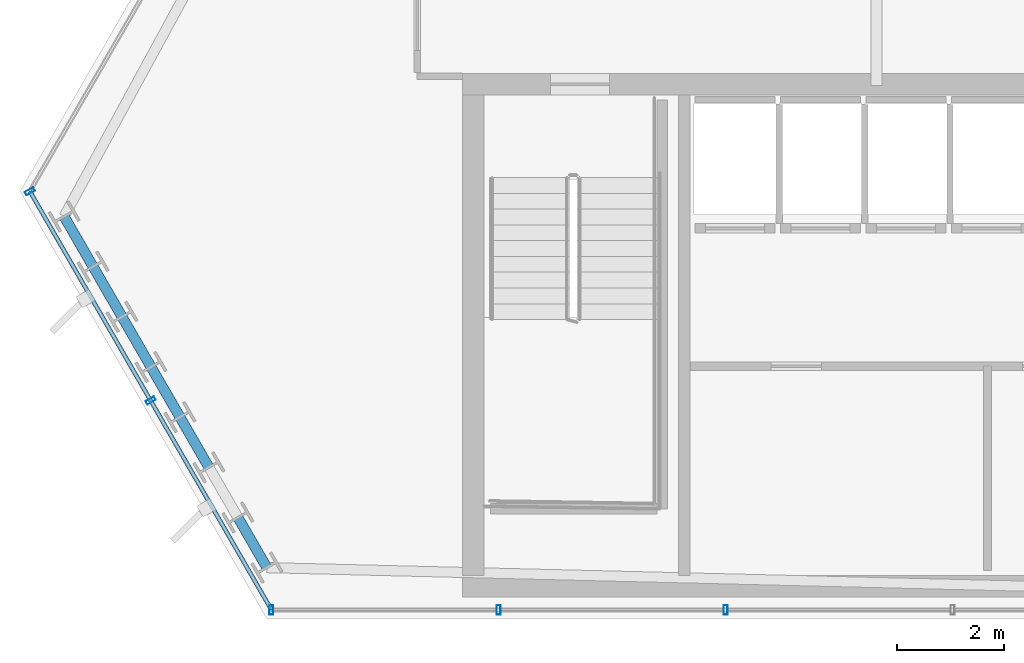
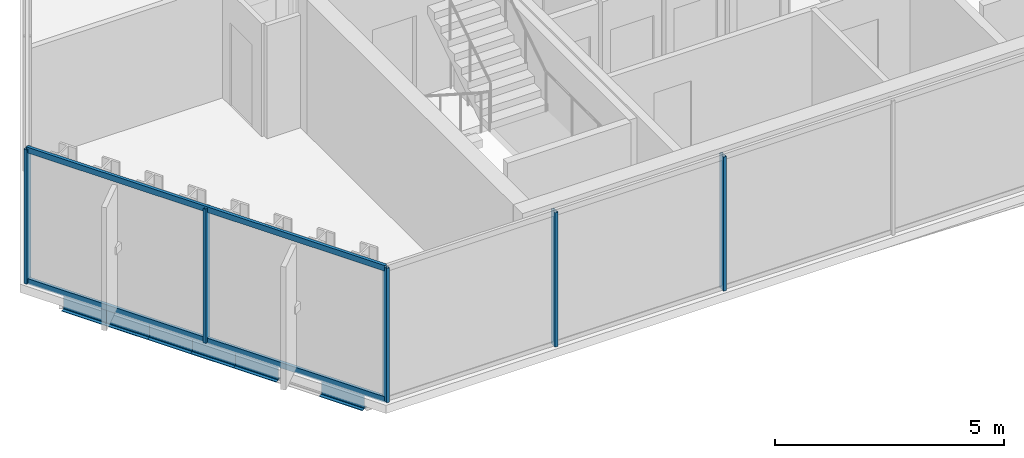
# One storey, part 2 of 34: 7 members, 6 beams, 2 elements without a shape of their own.
"""IFC4 building model written with IfcOpenShell, lengths in metres."""

from ifc_helpers import new_model, si_unit, direction, frame, origin, origin_2d, place, context, subcontext, project, spatial, hollow_rectangle, i_section, extrude, material, layer, layer_set, material_profile, profile_set, type_object, element, aggregate, save


model = new_model("IFC4")

# Units and contexts
model_context = context("Model", 3, precision=1e-05, world=origin(), true_north=direction((0.0, 1.0)))
body_context = subcontext(model_context, "Body", "Model", "MODEL_VIEW")
ifc_project = project(units=[si_unit("LENGTHUNIT", "METRE"), si_unit("AREAUNIT", "SQUARE_METRE"), si_unit("VOLUMEUNIT", "CUBIC_METRE"), si_unit("PLANEANGLEUNIT", "RADIAN"), si_unit("MASSUNIT", "GRAM", prefix="KILO")], contexts=[model_context])

# Site, building, storey
site_placement = place(None, origin())
site = spatial("IfcSite", under=ifc_project, at=site_placement, CompositionType="ELEMENT")
building_placement = place(site_placement, origin())
building = spatial("IfcBuilding", under=site, at=building_placement, Name="Ndaravel Arena Tower", CompositionType="ELEMENT")
storey_placement = place(building_placement, frame((0.0, 0.0, 195.39990234375)))
storey = spatial("IfcBuildingStorey", under=building, at=storey_placement, Name="L47", CompositionType="ELEMENT", Elevation=195.39990234375)

# Beams
ifc_material_1 = material(Name="Steel S355", Category="steel")
ifc_material_profile_1 = material_profile(ifc_material_1, i_section(OverallWidth=0.18994140625, OverallDepth=0.449951171875, WebThickness=0.009521484375, FlangeThickness=0.0146484375, FilletRadius=0.02099609375, at=origin_2d()), Name="IPE 450")
ifc_profile_set_1 = profile_set([ifc_material_profile_1], Name="Steel S355")
beam_type = type_object("IfcBeamType", Name="BM-SPAN-IPE450", PredefinedType="SPANDREL", material=ifc_profile_set_1)
for number, where, z_axis, x_axis, name in (
    (1, (18.989013671875, 12.5244140625, -0.44482421875), (0.499988774596, -0.866031884678, 0.0), (0.866031884678, 0.499988774596, 0.0), "L47 Perimeter Spandrel Beam SP-20"),
    (2, (19.53125, 11.585205078125, -0.44482421875), (0.499988774596, -0.866031884678, 0.0), (0.866031884678, 0.499988774596, 0.0), "L47 Perimeter Spandrel Beam SP-21"),
    (3, (20.073486328125, 10.64599609375, -0.44482421875), (0.499988774596, -0.866031884678, 0.0), (0.866031884678, 0.499988774596, 0.0), "L47 Perimeter Spandrel Beam SP-22"),
):
    element("IfcBeam", number, at=place(storey_placement, frame(where, z_axis=z_axis, x_axis=x_axis)), inside=storey, type_object=beam_type, Name=name, PredefinedType="SPANDREL", context=body_context, shape_type="SweptSolid", body=[
        extrude(i_section(OverallWidth=0.18994140625, OverallDepth=0.449951171875, WebThickness=0.009521484375, FlangeThickness=0.0146484375, FilletRadius=0.02099609375, at=origin_2d()), origin(), (0.0, 0.0, 1.0), 1.08447265625),
    ])
beam_placement = place(storey_placement, frame((20.61572265625, 9.706787109375, -0.44482421875), z_axis=(0.499891312606, -0.866088145388, 0.0), x_axis=(0.866088145388, 0.499891312606, 0.0)))
element("IfcBeam", 4, at=beam_placement, inside=storey, type_object=beam_type, Name="L47 Perimeter Spandrel Beam SP-23", PredefinedType="SPANDREL", context=body_context, shape_type="SweptSolid", body=[
    extrude(i_section(OverallWidth=0.18994140625, OverallDepth=0.449951171875, WebThickness=0.009521484375, FlangeThickness=0.0146484375, FilletRadius=0.02099609375, at=origin_2d()), origin(), (0.0, 0.0, 1.0), 1.084716796875),
])
for number, where, z_axis, x_axis, name in (
    (5, (21.157958984375, 8.767333984375, -0.44482421875), (0.499988774596, -0.866031884678, 0.0), (0.866031884678, 0.499988774596, 0.0), "L47 Perimeter Spandrel Beam SP-24"),
    (6, (22.24267578125, 6.888916015625, -0.44482421875), (0.499988774596, -0.866031884678, 0.0), (0.866031884678, 0.499988774596, 0.0), "L47 Perimeter Spandrel Beam SP-26"),
):
    element("IfcBeam", number, at=place(storey_placement, frame(where, z_axis=z_axis, x_axis=x_axis)), inside=storey, type_object=beam_type, Name=name, PredefinedType="SPANDREL", context=body_context, shape_type="SweptSolid", body=[
        extrude(i_section(OverallWidth=0.18994140625, OverallDepth=0.449951171875, WebThickness=0.009521484375, FlangeThickness=0.0146484375, FilletRadius=0.02099609375, at=origin_2d()), origin(), (0.0, 0.0, 1.0), 1.08447265625),
    ])

# Curtain wall, members
ifc_material_2 = material(Name="Aluminium", Category="aluminium")
ifc_layer_1 = layer(ifc_material_2, 0.179931640625)
ifc_layer_set_1 = layer_set([ifc_layer_1], Name="Aluminium")
curtain_wall_type_1 = type_object("IfcCurtainWallType", Name="CW-SYS-03", PredefinedType="NOTDEFINED", material=ifc_layer_set_1)
curtain_wall_1_placement = place(storey_placement, origin())
curtain_wall_1 = element("IfcCurtainWall", 7, at=curtain_wall_1_placement, inside=storey, type_object=curtain_wall_type_1, Name="L47 Faceted Crystal Curtain Wall CW-L47-E01", PredefinedType="NOTDEFINED")
ifc_material_3 = material(Name="Aluminium", Category="aluminium")
ifc_material_profile_2 = material_profile(ifc_material_3, hollow_rectangle(XDim=0.074951171875, YDim=0.179931640625, WallThickness=0.00390625, at=origin_2d()), Name="CW MULLION 75x180x4")
ifc_profile_set_2 = profile_set([ifc_material_profile_2], Name="Aluminium")
member_type_1 = type_object("IfcMemberType", Name="MEM-CW-MUL180", PredefinedType="MULLION", material=ifc_profile_set_2)
member_1_placement = place(storey_placement, frame((22.871337890625, 5.159912109375, 0.0), z_axis=(0.0, 0.0, 1.0), x_axis=(1.0, 0.0, 0.0)))
member_1 = element("IfcMember", 8, at=member_1_placement, type_object=member_type_1, Name="CW-L47-E01 Mullion 00", PredefinedType="MULLION", context=body_context, shape_type="SweptSolid", body=[
    extrude(hollow_rectangle(XDim=0.074951171875, YDim=0.179931640625, WallThickness=0.00390625, at=origin_2d()), origin(), (0.0, 0.0, 1.0), 3.580078125),
])
member_2_placement = place(storey_placement, frame((27.1220703125, 5.159912109375, 0.0), z_axis=(0.0, 0.0, 1.0), x_axis=(1.0, 0.0, 0.0)))
member_2 = element("IfcMember", 9, at=member_2_placement, type_object=member_type_1, Name="CW-L47-E01 Mullion 01", PredefinedType="MULLION", context=body_context, shape_type="SweptSolid", body=[
    extrude(hollow_rectangle(XDim=0.074951171875, YDim=0.179931640625, WallThickness=0.00390625, at=origin_2d()), origin(), (0.0, 0.0, 1.0), 3.580078125),
])
member_3_placement = place(storey_placement, frame((31.372802734375, 5.159912109375, 0.0), z_axis=(0.0, 0.0, 1.0), x_axis=(1.0, 0.0, 0.0)))
member_3 = element("IfcMember", 10, at=member_3_placement, type_object=member_type_1, Name="CW-L47-E01 Mullion 02", PredefinedType="MULLION", context=body_context, shape_type="SweptSolid", body=[
    extrude(hollow_rectangle(XDim=0.074951171875, YDim=0.179931640625, WallThickness=0.00390625, at=origin_2d()), origin(), (0.0, 0.0, 1.0), 3.580078125),
])
aggregate(curtain_wall_1, [member_1, member_2, member_3])

ifc_material_4 = material(Name="Aluminium", Category="aluminium")
ifc_layer_2 = layer(ifc_material_4, 0.179931640625)
ifc_layer_set_2 = layer_set([ifc_layer_2], Name="Aluminium")
curtain_wall_type_2 = type_object("IfcCurtainWallType", Name="CW-SYS-02", PredefinedType="NOTDEFINED", material=ifc_layer_set_2)
curtain_wall_2_placement = place(storey_placement, origin())
curtain_wall_2 = element("IfcCurtainWall", 11, at=curtain_wall_2_placement, inside=storey, type_object=curtain_wall_type_2, Name="L47 Faceted Crystal Curtain Wall CW-L47-E06", PredefinedType="NOTDEFINED")
member_4_placement = place(storey_placement, frame((18.348388671875, 12.994140625, 0.0), z_axis=(0.0, 0.0, 1.0), x_axis=(0.5, -0.866025403784, 0.0)))
member_4 = element("IfcMember", 12, at=member_4_placement, type_object=member_type_1, Name="CW-L47-E06 Mullion 00", PredefinedType="MULLION", context=body_context, shape_type="SweptSolid", body=[
    extrude(hollow_rectangle(XDim=0.074951171875, YDim=0.179931640625, WallThickness=0.00390625, at=origin_2d()), origin(), (0.0, 0.0, 1.0), 3.580078125),
])
member_5_placement = place(storey_placement, frame((20.60986328125, 9.076904296875, 0.0), z_axis=(0.0, 0.0, 1.0), x_axis=(0.5, -0.866025403784, 0.0)))
member_5 = element("IfcMember", 13, at=member_5_placement, type_object=member_type_1, Name="CW-L47-E06 Mullion 01", PredefinedType="MULLION", context=body_context, shape_type="SweptSolid", body=[
    extrude(hollow_rectangle(XDim=0.074951171875, YDim=0.179931640625, WallThickness=0.00390625, at=origin_2d()), origin(), (0.0, 0.0, 1.0), 3.580078125),
])
ifc_material_5 = material(Name="Aluminium", Category="aluminium")
ifc_material_profile_3 = material_profile(ifc_material_5, hollow_rectangle(XDim=0.074951171875, YDim=0.14990234375, WallThickness=0.00390625, at=origin_2d()), Name="CW TRANSOM 75x150x4")
ifc_profile_set_3 = profile_set([ifc_material_profile_3], Name="Aluminium")
member_type_2 = type_object("IfcMemberType", Name="MEM-CW-TRN150", PredefinedType="USERDEFINED", material=ifc_profile_set_3)
member_6_placement = place(storey_placement, frame((18.348388671875, 12.994140625, 0.0400390625), z_axis=(0.49998800113, -0.866032331224, 0.0), x_axis=(0.866032331224, 0.49998800113, 0.0)))
member_6 = element("IfcMember", 14, at=member_6_placement, type_object=member_type_2, Name="CW-L47-E06 Transom 01", ObjectType="TRANSOM", PredefinedType="USERDEFINED", context=body_context, shape_type="SweptSolid", body=[
    extrude(hollow_rectangle(XDim=0.074951171875, YDim=0.14990234375, WallThickness=0.00390625, at=origin_2d()), origin(), (0.0, 0.0, 1.0), 9.046142578125),
])
member_7_placement = place(storey_placement, frame((18.348388671875, 12.994140625, 3.5400390625), z_axis=(0.49998800113, -0.866032331224, 0.0), x_axis=(0.866032331224, 0.49998800113, 0.0)))
member_7 = element("IfcMember", 15, at=member_7_placement, type_object=member_type_2, Name="CW-L47-E06 Transom 02", ObjectType="TRANSOM", PredefinedType="USERDEFINED", context=body_context, shape_type="SweptSolid", body=[
    extrude(hollow_rectangle(XDim=0.074951171875, YDim=0.14990234375, WallThickness=0.00390625, at=origin_2d()), origin(), (0.0, 0.0, 1.0), 9.046142578125),
])
aggregate(curtain_wall_2, [member_4, member_5, member_6, member_7])

save(model, "model.ifc")
